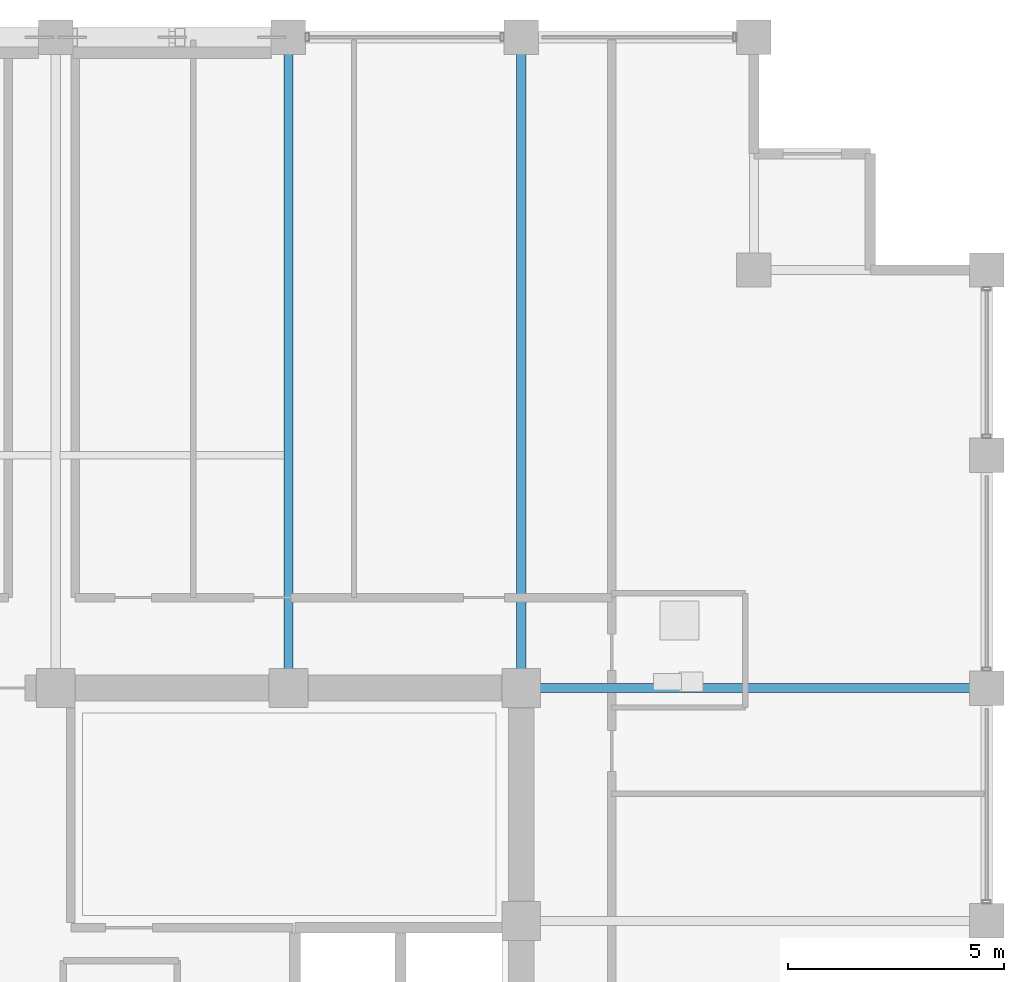
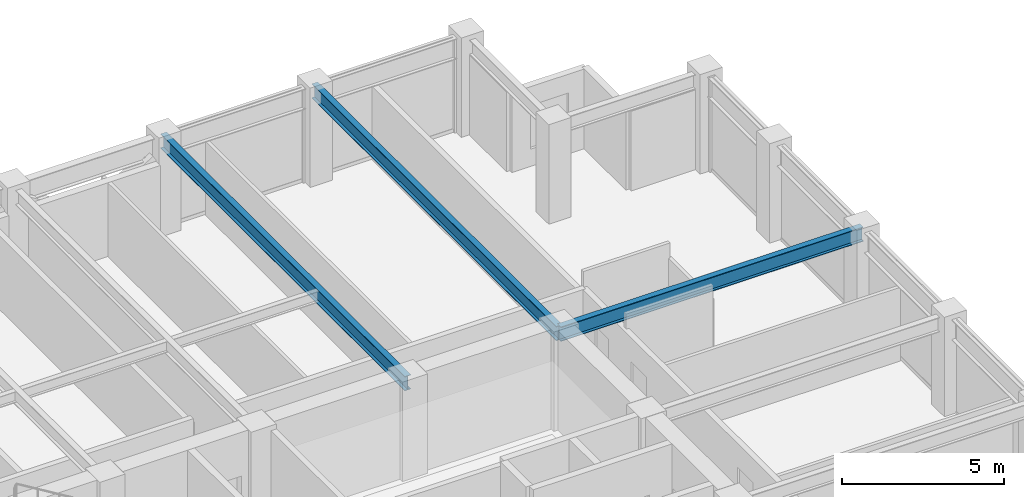
# One storey, part 22 of 32: 3 beams.
"""IFC4 building model written with IfcOpenShell, lengths in metres."""

from ifc_helpers import new_model, si_unit, direction, frame, origin, origin_2d, place, context, subcontext, project, spatial, i_section, extrude, material, material_profile, profile_set, type_object, element, save


model = new_model("IFC4")

# Units and contexts
model_context = context("Model", 3, precision=1e-05, world=origin(), true_north=direction((0.0, 1.0)))
body_context = subcontext(model_context, "Body", "Model", "MODEL_VIEW")
ifc_project = project(units=[si_unit("LENGTHUNIT", "METRE"), si_unit("AREAUNIT", "SQUARE_METRE"), si_unit("VOLUMEUNIT", "CUBIC_METRE"), si_unit("PLANEANGLEUNIT", "RADIAN"), si_unit("MASSUNIT", "GRAM", prefix="KILO")], contexts=[model_context])

# Site, building, storey
site_placement = place(None, origin())
site = spatial("IfcSite", under=ifc_project, at=site_placement, CompositionType="ELEMENT")
building_placement = place(site_placement, origin())
building = spatial("IfcBuilding", under=site, at=building_placement, Name="Surkhivell Harbour Commons", CompositionType="ELEMENT")
storey_placement = place(building_placement, frame((0.0, 0.0, 223.5)))
storey = spatial("IfcBuildingStorey", under=building, at=storey_placement, Name="L58", CompositionType="ELEMENT", Elevation=223.5)

# Beams
ifc_material = material(Name="Steel S355", Category="steel")
ifc_material_profile = material_profile(ifc_material, i_section(OverallWidth=0.2119140625, OverallDepth=0.5439453125, WebThickness=0.0126953125, FlangeThickness=0.021240234375, at=origin_2d()), Name="UB533x210x122")
ifc_profile_set = profile_set([ifc_material_profile], Name="Steel S355")
beam_type = type_object("IfcBeamType", Name="BM-GRD-533A", PredefinedType="BEAM", material=ifc_profile_set)
for number, where, z_axis, x_axis, name in (
    (1, (5.39990234375, 10.800048828125, 3.298095703125), (0.0, 1.0, 0.0), (-1.0, 0.0, 0.0), "L58 Floor Girder (5.4,10.8)"),
    (2, (10.800048828125, 10.800048828125, 3.298095703125), (0.0, 1.0, 0.0), (-1.0, 0.0, 0.0), "L58 Floor Girder (10.8,10.8)"),
):
    element("IfcBeam", number, at=place(storey_placement, frame(where, z_axis=z_axis, x_axis=x_axis)), inside=storey, type_object=beam_type, Name=name, PredefinedType="BEAM", context=body_context, shape_type="SweptSolid", body=[
        extrude(i_section(OverallWidth=0.2119140625, OverallDepth=0.5439453125, WebThickness=0.0126953125, FlangeThickness=0.021240234375, at=origin_2d()), origin(), (0.0, 0.0, 1.0), 15.099853515625),
    ])
beam_placement = place(storey_placement, frame((10.800048828125, 10.800048828125, 3.298095703125), z_axis=(1.0, 0.0, 0.0), x_axis=(0.0, 1.0, 0.0)))
element("IfcBeam", 3, at=beam_placement, inside=storey, type_object=beam_type, Name="L58 Floor Girder (10.8,10.8)", PredefinedType="BEAM", context=body_context, shape_type="SweptSolid", body=[
    extrude(i_section(OverallWidth=0.2119140625, OverallDepth=0.5439453125, WebThickness=0.0126953125, FlangeThickness=0.021240234375, at=origin_2d()), origin(), (0.0, 0.0, 1.0), 10.800048828125),
])

save(model, "model.ifc")
